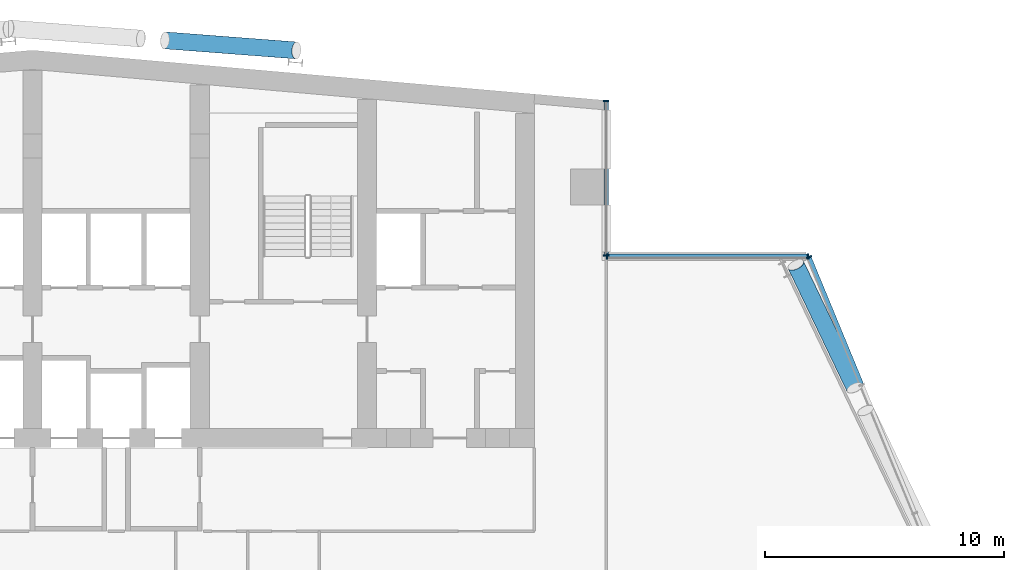
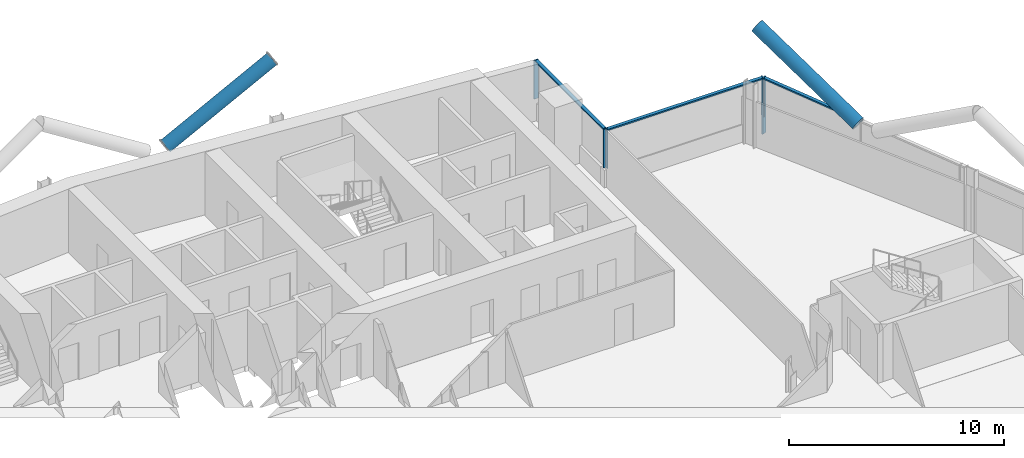
# One storey, part 10 of 27: 10 members, 3 elements without a shape of their own.
"""IFC4 building model written with IfcOpenShell, lengths in metres."""

from ifc_helpers import new_model, si_unit, direction, frame, origin, origin_2d, place, context, subcontext, project, spatial, rectangle, hollow_circle, extrude, material, material_profile, profile_set, type_object, element, aggregate, save


model = new_model("IFC4")

# Units and contexts
model_context = context("Model", 3, precision=1e-05, world=origin(), true_north=direction((0.0, 1.0)))
body_context = subcontext(model_context, "Body", "Model", "MODEL_VIEW")
ifc_project = project(units=[si_unit("LENGTHUNIT", "METRE"), si_unit("AREAUNIT", "SQUARE_METRE"), si_unit("VOLUMEUNIT", "CUBIC_METRE"), si_unit("PLANEANGLEUNIT", "RADIAN"), si_unit("MASSUNIT", "GRAM", prefix="KILO")], contexts=[model_context])

# Site, building, storey
site_placement = place(None, origin())
site = spatial("IfcSite", under=ifc_project, at=site_placement, CompositionType="ELEMENT")
building_placement = place(site_placement, origin())
building = spatial("IfcBuilding", under=site, at=building_placement, Name="Wharfspan Tower", CompositionType="ELEMENT")
storey_placement = place(building_placement, frame((0.0, 0.0, 195.100098)))
storey = spatial("IfcBuildingStorey", under=building, at=storey_placement, Name="L48", CompositionType="ELEMENT", Elevation=195.100098)

# Curtain wall, member
ifc_material_1 = material(Name="Aluminium 6063-T6", Category="aluminium")
curtain_wall_type = type_object("IfcCurtainWallType", Name="CURTAIN WALL PROW AND END", PredefinedType="NOTDEFINED", material=ifc_material_1)
curtain_wall_1_placement = place(storey_placement, origin())
curtain_wall_1 = element("IfcCurtainWall", 1, at=curtain_wall_1_placement, inside=storey, type_object=curtain_wall_type, Name="Curtain wall E", PredefinedType="NOTDEFINED")
ifc_material_profile_1 = material_profile(ifc_material_1, rectangle(XDim=0.23999, YDim=0.060059, at=origin_2d()))
ifc_profile_set_1 = profile_set([ifc_material_profile_1], Name="Aluminium 6063-T6")
member_type_1 = type_object("IfcMemberType", Name="MULLION PROW AND END 60x240", PredefinedType="MULLION", material=ifc_profile_set_1)
member_1_placement = place(storey_placement, frame((69.488525, 41.972168, 0.0), z_axis=(0.0, 0.0, 1.0), x_axis=(-0.924325, -0.381602, 0.0)))
member_1 = element("IfcMember", 2, at=member_1_placement, type_object=member_type_1, Name="Curtain wall E mullion 8", PredefinedType="MULLION", context=body_context, shape_type="SweptSolid", body=[
    extrude(rectangle(XDim=0.23999, YDim=0.060059, at=origin_2d()), origin(), (0.0, 0.0, 1.0), 3.199951),
])

# Curtain wall, members
curtain_wall_2_placement = place(storey_placement, origin())
curtain_wall_2 = element("IfcCurtainWall", 3, at=curtain_wall_2_placement, inside=storey, type_object=curtain_wall_type, Name="Curtain wall NRE-H", PredefinedType="NOTDEFINED")
member_2_placement = place(storey_placement, frame((69.447021, 42.0, 1.0), z_axis=(0.0, 0.0, 1.0), x_axis=(0.0, -1.0, 0.0)))
member_2 = element("IfcMember", 4, at=member_2_placement, type_object=member_type_1, Name="Curtain wall NRE-H mullion 1", PredefinedType="MULLION", context=body_context, shape_type="SweptSolid", body=[
    extrude(rectangle(XDim=0.23999, YDim=0.060059, at=origin_2d()), origin(), (0.0, 0.0, 1.0), 2.199951),
])
member_3_placement = place(storey_placement, frame((61.030029, 42.0, 1.0), z_axis=(0.0, 0.0, 1.0), x_axis=(0.0, -1.0, 0.0)))
member_3 = element("IfcMember", 5, at=member_3_placement, type_object=member_type_1, Name="Curtain wall NRE-H mullion 2", PredefinedType="MULLION", context=body_context, shape_type="SweptSolid", body=[
    extrude(rectangle(XDim=0.23999, YDim=0.060059, at=origin_2d()), origin(), (0.0, 0.0, 1.0), 2.199951),
])

curtain_wall_3_placement = place(storey_placement, origin())
curtain_wall_3 = element("IfcCurtainWall", 6, at=curtain_wall_3_placement, inside=storey, type_object=curtain_wall_type, Name="Curtain wall NRE-V", PredefinedType="NOTDEFINED")
member_4_placement = place(storey_placement, frame((61.0, 42.030029, 1.0), z_axis=(0.0, 0.0, 1.0), x_axis=(-1.0, 0.0, 0.0)))
member_4 = element("IfcMember", 7, at=member_4_placement, type_object=member_type_1, Name="Curtain wall NRE-V mullion 1", PredefinedType="MULLION", context=body_context, shape_type="SweptSolid", body=[
    extrude(rectangle(XDim=0.23999, YDim=0.060059, at=origin_2d()), origin(), (0.0, 0.0, 1.0), 2.199951),
])
member_5_placement = place(storey_placement, frame((61.0, 48.494873, 1.0), z_axis=(0.0, 0.0, 1.0), x_axis=(-1.0, 0.0, 0.0)))
member_5 = element("IfcMember", 8, at=member_5_placement, type_object=member_type_1, Name="Curtain wall NRE-V mullion 2", PredefinedType="MULLION", context=body_context, shape_type="SweptSolid", body=[
    extrude(rectangle(XDim=0.23999, YDim=0.060059, at=origin_2d()), origin(), (0.0, 0.0, 1.0), 2.199951),
])

# Members
ifc_material_2 = material(Name="Steel S460NH", Category="steel")
ifc_material_profile_2 = material_profile(ifc_material_2, hollow_circle(Radius=0.355469, WallThickness=0.035889, at=origin_2d()))
ifc_profile_set_2 = profile_set([ifc_material_profile_2], Name="Steel S460NH")
member_type_2 = type_object("IfcMemberType", Name="Mega brace CHS 711x36", PredefinedType="BRACE", material=ifc_profile_set_2)
member_6_placement = place(storey_placement, frame((71.401123, 36.504395, 3.205566), z_axis=(-0.374112, 0.780716, 0.500522), x_axis=(-0.901807, -0.432139, 2e-06)))
element("IfcMember", 9, at=member_6_placement, inside=storey, type_object=member_type_2, Name="Mega brace E6 L48 part 2", PredefinedType="BRACE", context=body_context, shape_type="SweptSolid", body=[
    extrude(hollow_circle(Radius=0.355469, WallThickness=0.035889, at=origin_2d()), origin(), (0.0, 0.0, 1.0), 6.582031),
])
member_7_placement = place(storey_placement, frame((42.543213, 51.037354, 3.202881), z_axis=(0.855596, -0.065362, 0.513502), x_axis=(0.076171, 0.997095, 1e-06)))
element("IfcMember", 10, at=member_7_placement, inside=storey, type_object=member_type_2, Name="Mega brace N8 L48 part 2", PredefinedType="BRACE", context=body_context, shape_type="SweptSolid", body=[
    extrude(hollow_circle(Radius=0.355469, WallThickness=0.035889, at=origin_2d()), origin(), (0.0, 0.0, 1.0), 6.420898),
])

# Member
ifc_material_profile_3 = material_profile(ifc_material_1, rectangle(XDim=0.179932, YDim=0.080078, at=origin_2d()))
ifc_profile_set_3 = profile_set([ifc_material_profile_3], Name="Aluminium 6063-T6")
member_type_3 = type_object("IfcMemberType", Name="TRANSOM PROW AND END 80x180", PredefinedType="USERDEFINED", material=ifc_profile_set_3)
member_8_placement = place(storey_placement, frame((71.683105, 36.65625, 3.159912), z_axis=(-0.38158, 0.924336, 0.0), x_axis=(-0.924336, -0.38158, 0.0)))
member_8 = element("IfcMember", 11, at=member_8_placement, type_object=member_type_3, Name="Curtain wall E transom 7", ObjectType="TRANSOM", PredefinedType="USERDEFINED", context=body_context, shape_type="SweptSolid", body=[
    extrude(rectangle(XDim=0.179932, YDim=0.080078, at=origin_2d()), origin(), (0.0, 0.0, 1.0), 5.721191),
])

aggregate(curtain_wall_1, [member_1, member_8])

member_9_placement = place(storey_placement, frame((69.416992, 42.0, 3.159912), z_axis=(-1.0, 0.0, 0.0), x_axis=(0.0, -1.0, 0.0)))
member_9 = element("IfcMember", 12, at=member_9_placement, type_object=member_type_3, Name="Curtain wall NRE-H transom 1", ObjectType="TRANSOM", PredefinedType="USERDEFINED", context=body_context, shape_type="SweptSolid", body=[
    extrude(rectangle(XDim=0.179932, YDim=0.080078, at=origin_2d()), origin(), (0.0, 0.0, 1.0), 8.356934),
])

aggregate(curtain_wall_2, [member_2, member_3, member_9])

member_10_placement = place(storey_placement, frame((61.0, 42.060059, 3.159912), z_axis=(0.0, 1.0, 0.0), x_axis=(-1.0, 0.0, 0.0)))
member_10 = element("IfcMember", 13, at=member_10_placement, type_object=member_type_3, Name="Curtain wall NRE-V transom 1", ObjectType="TRANSOM", PredefinedType="USERDEFINED", context=body_context, shape_type="SweptSolid", body=[
    extrude(rectangle(XDim=0.179932, YDim=0.080078, at=origin_2d()), origin(), (0.0, 0.0, 1.0), 6.404785),
])

aggregate(curtain_wall_3, [member_4, member_5, member_10])

save(model, "model.ifc")
